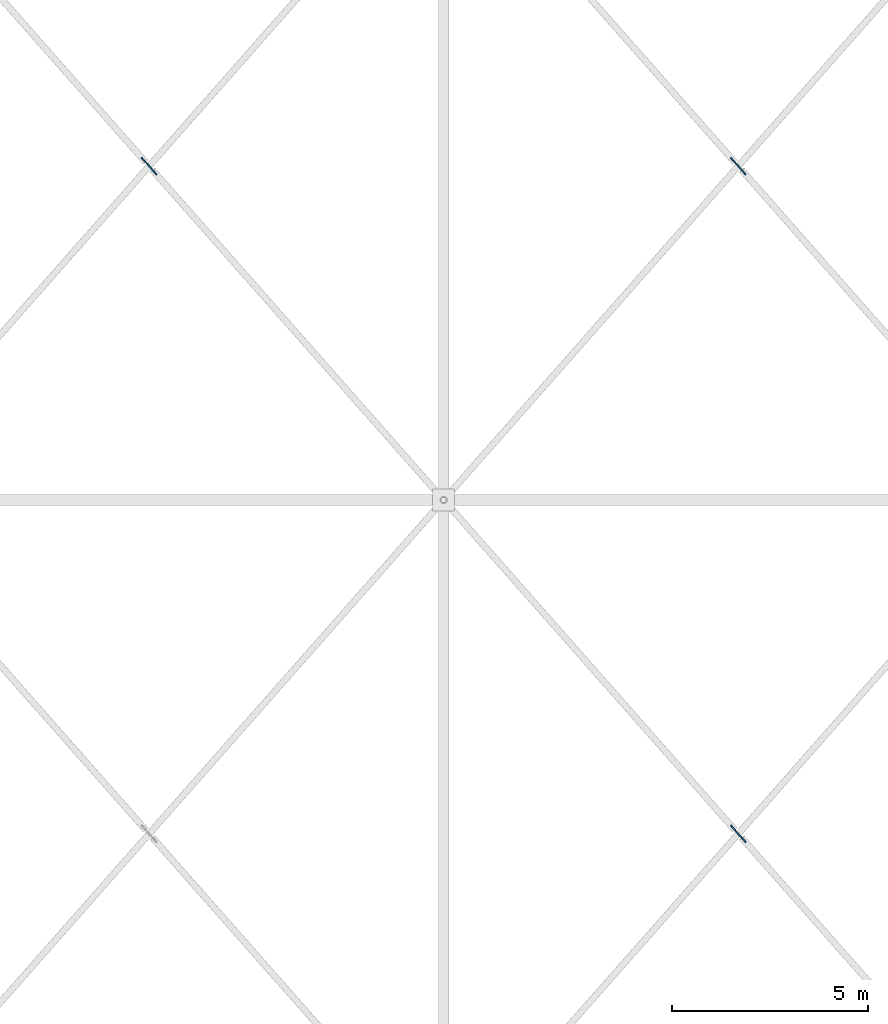
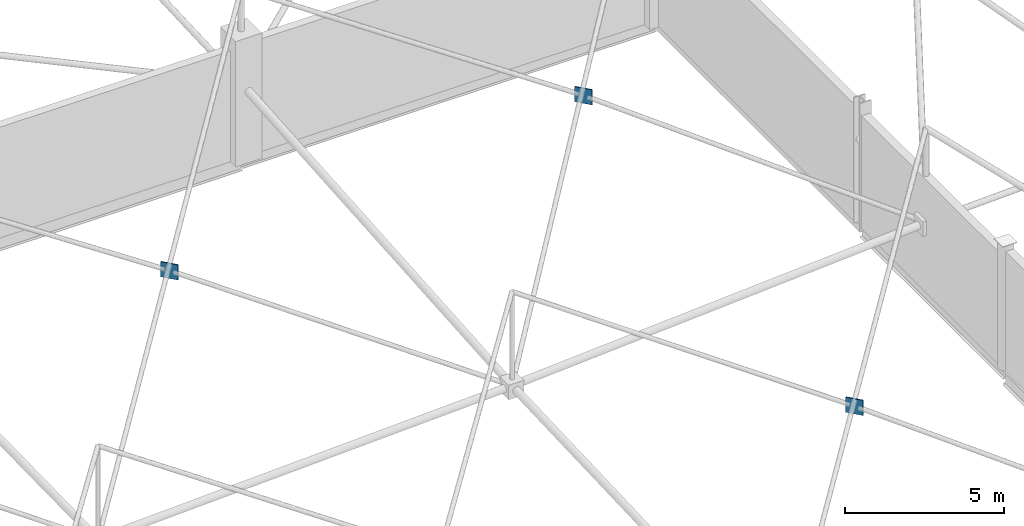
# One storey, part 187 of 224: 3 plates.
"""IFC4 building model written with IfcOpenShell, lengths in metres."""

import ifcopenshell
import ifcopenshell.guid

model = None  # the IFC model being written
_history = None  # IfcOwnerHistory: only IFC2X3 demands one
_inside = {}  # id of a spatial element -> (the spatial element, [elements in it])
_under = {}  # id of a project, library or spatial element -> (it, [spatial elements below it])
_declared = {}  # id of a project -> (the project, [libraries it declares])
_typed = {}  # id of a type object -> (the type object, [elements of that type])
_made_of = {}  # id of a material, layer set ... -> (it, [elements and type objects made of it])


def new_model(schema):
    """Start an empty IFC model of exactly this schema.

    Asked for "IFC4X3", IfcOpenShell would pick the latest addendum, in which some entities
    have other attributes; the version numbers below select the first issue.
    IFC2X3 requires an IfcOwnerHistory on every rooted entity: one is made here for all.
    """
    global model, _history
    if schema == "IFC4X3":
        model = ifcopenshell.file(schema_version=(4, 3, 0, 0))
    else:
        model = ifcopenshell.file(schema=schema)
    _inside.clear()
    _under.clear()
    _declared.clear()
    _typed.clear()
    _made_of.clear()
    _history = None
    if model.schema == "IFC2X3":
        org = make("IfcOrganization", Name="unknown")
        user = make(
            "IfcPersonAndOrganization",
            ThePerson=make("IfcPerson", FamilyName="unknown"),
            TheOrganization=org,
        )
        app = make(
            "IfcApplication",
            ApplicationDeveloper=org,
            Version="unknown",
            ApplicationFullName="unknown",
            ApplicationIdentifier="unknown",
        )
        _history = make(
            "IfcOwnerHistory",
            OwningUser=user,
            OwningApplication=app,
            ChangeAction="ADDED",
            CreationDate=0,
        )
    return model


def make(cls, **values):
    """One entity of the class cls with the attributes given. An attribute that is None is left unset."""
    return model.create_entity(
        cls, **{name: value for name, value in values.items() if value is not None}
    )


def rooted(cls, **values):
    """An entity with a GlobalId (a new one), such as an element, a storey or a relation."""
    return make(cls, GlobalId=ifcopenshell.guid.new(), OwnerHistory=_history, **values)


def si_unit(unit_type, name, prefix=None):
    """IfcSIUnit, for example si_unit("LENGTHUNIT", "METRE", prefix="MILLI")."""
    return make("IfcSIUnit", UnitType=unit_type, Prefix=prefix, Name=name)


def assignment(units):
    """IfcUnitAssignment: the units of a project."""
    return None if units is None else make("IfcUnitAssignment", Units=units)


def point(xyz):
    """IfcCartesianPoint."""
    return None if xyz is None else make("IfcCartesianPoint", Coordinates=xyz)


def direction(xyz):
    """IfcDirection."""
    return None if xyz is None else make("IfcDirection", DirectionRatios=xyz)


def frame(location, z_axis=None, x_axis=None):
    """IfcAxis2Placement3D, a coordinate frame: its origin and axes. An axis left out is left unset."""
    return make(
        "IfcAxis2Placement3D",
        Location=point(location),
        Axis=direction(z_axis),
        RefDirection=direction(x_axis),
    )


def frame_2d(location, x_axis=None):
    """IfcAxis2Placement2D, a coordinate frame in the plane: its origin and x axis."""
    return make(
        "IfcAxis2Placement2D", Location=point(location), RefDirection=direction(x_axis)
    )


def origin():
    """The frame at (0, 0, 0) with its axes left unset."""
    return frame((0.0, 0.0, 0.0))


def origin_2d():
    """The frame at (0, 0) in the plane with its x axis left unset."""
    return frame_2d((0.0, 0.0))


def place(relative_to, where):
    """IfcLocalPlacement: puts the frame where relative to a parent placement (None: the world)."""
    return make(
        "IfcLocalPlacement", PlacementRelTo=relative_to, RelativePlacement=where
    )


def context(
    kind, dimensions, precision=None, world=None, true_north=None, identifier=None
):
    """IfcGeometricRepresentationContext, for example the 3D "Model" context."""
    return make(
        "IfcGeometricRepresentationContext",
        ContextIdentifier=identifier,
        ContextType=kind,
        CoordinateSpaceDimension=dimensions,
        Precision=precision,
        WorldCoordinateSystem=world,
        TrueNorth=true_north,
    )


def subcontext(parent, identifier, kind, view, scale=None):
    """IfcGeometricRepresentationSubContext, for example "Body" below "Model"."""
    return make(
        "IfcGeometricRepresentationSubContext",
        ContextIdentifier=identifier,
        ContextType=kind,
        ParentContext=parent,
        TargetScale=scale,
        TargetView=view,
    )


def project(units=None, contexts=None):
    """IfcProject with its units and contexts."""
    return rooted(
        "IfcProject",
        Name="project",
        RepresentationContexts=contexts,
        UnitsInContext=assignment(units),
    )


def spatial(cls, under=None, at=None, **own):
    """A site, building, storey or space (cls), placed at a placement, below another one or the project."""
    s = rooted(cls, ObjectPlacement=at, **own)
    if under is not None:
        _under.setdefault(under.id(), (under, []))[1].append(s)
    return s


def profile(cls, at=None, kind="AREA", **sizes):
    """A parametric profile (cls). Its sizes go by their IFC names, for example OverallWidth=200.0."""
    return make(cls, ProfileType=kind, Position=at, **sizes)


def rectangle(**sizes):
    """IfcRectangleProfileDef."""
    return profile("IfcRectangleProfileDef", **sizes)


def extrude(swept, where, along, depth):
    """IfcExtrudedAreaSolid: the profile swept, set in the frame where, extruded along a direction by depth."""
    return make(
        "IfcExtrudedAreaSolid",
        SweptArea=swept,
        Position=where,
        ExtrudedDirection=direction(along),
        Depth=depth,
    )


def shape(context_of_items, identifier, shape_type, items):
    """IfcShapeRepresentation: the items that make up one representation, for example the "Body"."""
    return make(
        "IfcShapeRepresentation",
        ContextOfItems=context_of_items,
        RepresentationIdentifier=identifier,
        RepresentationType=shape_type,
        Items=items,
    )


def material(Name=None, Category=None):
    """IfcMaterial."""
    return make("IfcMaterial", Name=Name, Category=Category)


def layer(
    of_material, thickness, ventilated=None, Name=None, Category=None, Priority=None
):
    """IfcMaterialLayer: one layer of a wall or slab, of a material (None: an air gap)."""
    return make(
        "IfcMaterialLayer",
        Material=of_material,
        LayerThickness=thickness,
        IsVentilated=ventilated,
        Name=Name,
        Category=Category,
        Priority=Priority,
    )


def layer_set(layers, Name=None):
    """IfcMaterialLayerSet."""
    return make("IfcMaterialLayerSet", MaterialLayers=layers, LayerSetName=Name)


def made_of(thing, what):
    """Note that an element or type object is made of a material, layer set ...; save() writes the relation."""
    if what is not None:
        _made_of.setdefault(what.id(), (what, []))[1].append(thing)
    return thing


def type_object(cls, material=None, **own):
    """A type object (cls), such as IfcWallType, which elements share."""
    return made_of(rooted(cls, **own), material)


def element(
    cls,
    number,
    at=None,
    inside=None,
    cuts=None,
    type_object=None,
    material=None,
    context=None,
    identifier="Body",
    shape_type=None,
    held_by="IfcProductDefinitionShape",
    body=None,
    shapes=None,
    **own,
):
    """One element of the class cls, such as IfcWall. Its Tag is "e" and its number.

    at: its placement. inside: the storey or other place that contains it. cuts: it is an
    opening in that element (IfcRelVoidsElement). A single representation is given by context,
    identifier, shape_type and body (its items); several are given by shapes. held_by: the class
    of the entity that holds the representations. save() writes the other relations.
    """
    e = rooted(cls, Tag="e%d" % number, ObjectPlacement=at, **own)
    if body is not None:
        shapes = [shape(context, identifier, shape_type, body)]
    if shapes is not None:
        e.Representation = make(held_by, Representations=shapes)
    if inside is not None:
        _inside.setdefault(inside.id(), (inside, []))[1].append(e)
    if cuts is not None:
        rooted(
            "IfcRelVoidsElement", RelatingBuildingElement=cuts, RelatedOpeningElement=e
        )
    if type_object is not None:
        _typed.setdefault(type_object.id(), (type_object, []))[1].append(e)
    return made_of(e, material)


def aggregate(whole, parts):
    """IfcRelAggregates: a whole, such as a stair, and the parts it consists of."""
    return rooted("IfcRelAggregates", RelatingObject=whole, RelatedObjects=parts)


def save(model, path):
    """Write the relations noted so far, then the file.

    IfcRelAggregates (storeys below a building ...), IfcRelContainedInSpatialStructure (elements
    in a storey), IfcRelDefinesByType, IfcRelAssociatesMaterial and IfcRelDeclares: one each for
    every whole, place, type object, material and project.
    """
    for whole, parts in _under.values():
        aggregate(whole, parts)
    for where, things in _inside.values():
        rooted(
            "IfcRelContainedInSpatialStructure",
            RelatedElements=things,
            RelatingStructure=where,
        )
    for kind, things in _typed.values():
        rooted("IfcRelDefinesByType", RelatedObjects=things, RelatingType=kind)
    for what, things in _made_of.values():
        rooted("IfcRelAssociatesMaterial", RelatedObjects=things, RelatingMaterial=what)
    for by, libraries in _declared.values():
        rooted("IfcRelDeclares", RelatingContext=by, RelatedDefinitions=libraries)
    model.write(path)


model = new_model("IFC4")

# Units and contexts
model_context = context("Model", 3, precision=1e-05, world=origin(), true_north=direction((0.0, 1.0)))
body_context = subcontext(model_context, "Body", "Model", "MODEL_VIEW")
ifc_project = project(units=[si_unit("LENGTHUNIT", "METRE"), si_unit("AREAUNIT", "SQUARE_METRE"), si_unit("VOLUMEUNIT", "CUBIC_METRE"), si_unit("PLANEANGLEUNIT", "RADIAN"), si_unit("MASSUNIT", "GRAM", prefix="KILO")], contexts=[model_context])

# Site, building, storey
site_placement = place(None, origin())
site = spatial("IfcSite", under=ifc_project, at=site_placement, CompositionType="ELEMENT")
building_placement = place(site_placement, origin())
building = spatial("IfcBuilding", under=site, at=building_placement, Name="Qamarlyn Nura Convention Centre", CompositionType="ELEMENT")
storey_placement = place(building_placement, frame((0.0, 0.0, 10.800048828125)))
storey = spatial("IfcBuildingStorey", under=building, at=storey_placement, Name="L02", CompositionType="ELEMENT", Elevation=10.800048828125)

# Plates
ifc_material = material(Name="Structural steel ASTM A572 Grade 50", Category="steel")
ifc_layer = layer(ifc_material, 0.035888671875, Name="GP-SN1")
ifc_layer_set = layer_set([ifc_layer], Name="Structural steel ASTM A572 Grade 50")
plate_type = type_object("IfcPlateType", Name="GP-SN1", PredefinedType="USERDEFINED", material=ifc_layer_set)
for number, where, z_axis, x_axis, name in (
    (1, (97.5, 94.5, 3.067138671875), (0.0, 0.0, 1.0), (-0.661622086957, 0.749837458421, 0.0), "Space frame X-brace crossing gusset plate 8-6"),
    (2, (112.5, 77.5, 2.935791015625), (0.0, 0.0, 1.0), (-0.661622086957, 0.749837458421, 0.0), "Space frame X-brace crossing gusset plate 9-5"),
    (3, (112.5, 94.5, 4.521728515625), (0.0, 0.0, 1.0), (-0.661622086957, 0.749837458421, 0.0), "Space frame X-brace crossing gusset plate 9-6"),
):
    element("IfcPlate", number, at=place(storey_placement, frame(where, z_axis=z_axis, x_axis=x_axis)), inside=storey, type_object=plate_type, Name=name, ObjectType="GUSSET PLATE", PredefinedType="USERDEFINED", context=body_context, shape_type="SweptSolid", body=[
        extrude(rectangle(XDim=0.580078125, YDim=0.035888671875, at=origin_2d()), origin(), (0.0, 0.0, 1.0), 0.580078125),
    ])

save(model, "model.ifc")
